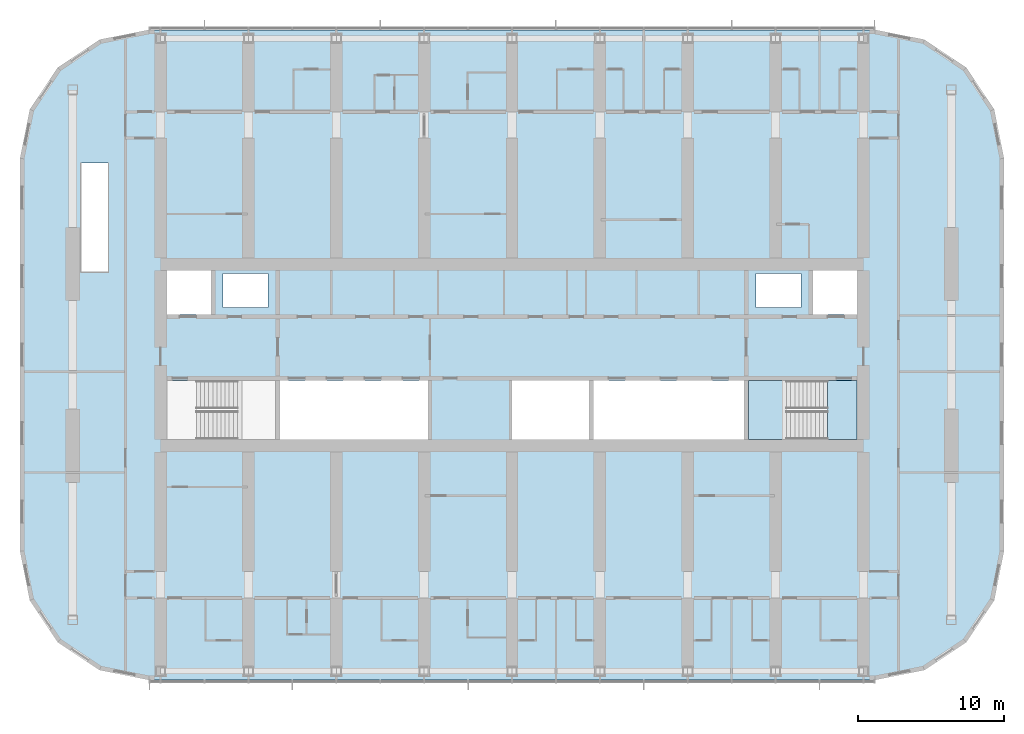
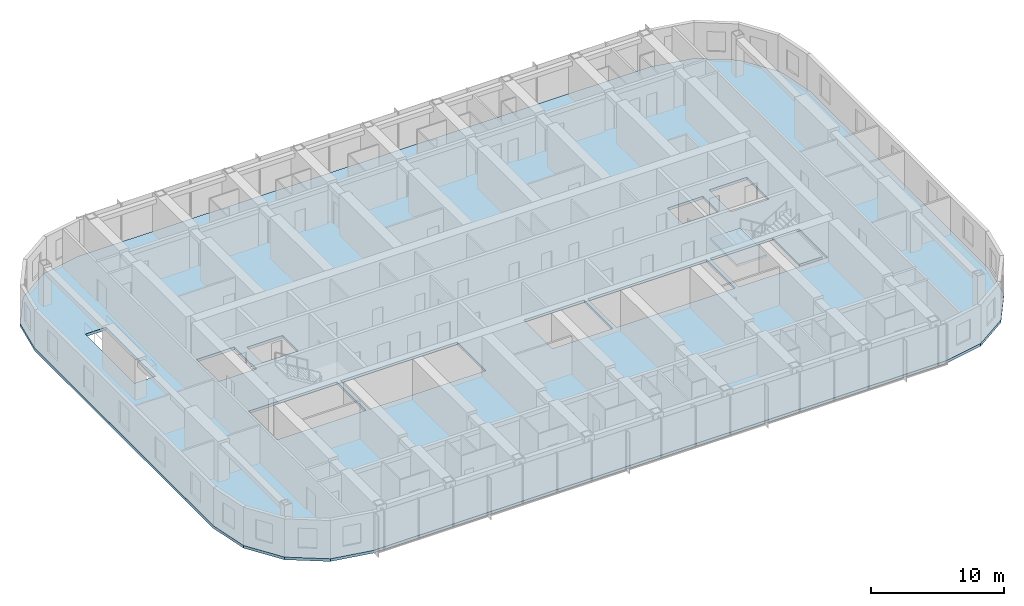
# One storey, part 8 of 22: 3 slabs, 1 element without a shape of its own.
"""IFC4 building model written with IfcOpenShell, lengths in metres."""

from ifc_helpers import new_model, si_unit, direction, frame, origin, place, context, subcontext, project, spatial, polyline, outline, extrude, material, layer, layer_set, type_object, element, aggregate, save


model = new_model("IFC4")

# Units and contexts
model_context = context("Model", 3, precision=1e-05, world=origin(), true_north=direction((0.0, 1.0)))
body_context = subcontext(model_context, "Body", "Model", "MODEL_VIEW")
ifc_project = project(units=[si_unit("LENGTHUNIT", "METRE"), si_unit("AREAUNIT", "SQUARE_METRE"), si_unit("VOLUMEUNIT", "CUBIC_METRE"), si_unit("PLANEANGLEUNIT", "RADIAN"), si_unit("MASSUNIT", "GRAM", prefix="KILO")], contexts=[model_context])

# Site, building, storey
site_placement = place(None, origin())
site = spatial("IfcSite", under=ifc_project, at=site_placement, CompositionType="ELEMENT")
building_placement = place(site_placement, origin())
building = spatial("IfcBuilding", under=site, at=building_placement, Name="Orbita Commons", CompositionType="ELEMENT")
storey_placement = place(building_placement, frame((0.0, 0.0, 167.35009765625)))
storey = spatial("IfcBuildingStorey", under=building, at=storey_placement, Name="L41", CompositionType="ELEMENT", Elevation=167.35009765625)

# Slab
ifc_material_1 = material(Name="Concrete C40/50", Category="concrete")
ifc_layer_1 = layer(ifc_material_1, 0.25)
ifc_layer_set_1 = layer_set([ifc_layer_1], Name="Concrete C40/50")
slab_type_1 = type_object("IfcSlabType", Name="Floor slab 250", PredefinedType="FLOOR", material=ifc_layer_set_1)
slab_1_placement = place(storey_placement, frame((0.0, 0.0, -0.25)))
element("IfcSlab", 1, at=slab_1_placement, inside=storey, type_object=slab_type_1, Name="Floor slab L41", PredefinedType="FLOOR", context=body_context, shape_type="SweptSolid", body=[
    extrude(outline(polyline([(66.800048828125, 9.800048828125), (70.167724609375, 10.469970703125), (73.0224609375, 12.37744140625), (74.93017578125, 15.232421875), (75.60009765625, 18.60009765625), (75.60009765625, 45.39990234375), (74.93017578125, 48.767578125), (73.0224609375, 51.62255859375), (70.167724609375, 53.530029296875), (66.800048828125, 54.199951171875), (17.199951171875, 54.199951171875), (13.832275390625, 53.530029296875), (10.9775390625, 51.62255859375), (9.06982421875, 48.767578125), (8.39990234375, 45.39990234375), (8.39990234375, 18.60009765625), (9.06982421875, 15.232421875), (10.9775390625, 12.37744140625), (13.832275390625, 10.469970703125), (17.199951171875, 9.800048828125), (66.800048828125, 9.800048828125)]), holes=[polyline([(18.14990234375, 25.949951171875), (25.85009765625, 25.949951171875), (25.85009765625, 30.25), (18.14990234375, 30.25), (18.14990234375, 25.949951171875)]), polyline([(58.14990234375, 25.949951171875), (65.85009765625, 25.949951171875), (65.85009765625, 30.25), (58.14990234375, 30.25), (58.14990234375, 25.949951171875)]), polyline([(18.14990234375, 34.75), (21.449951171875, 34.75), (21.449951171875, 38.050048828125), (18.14990234375, 38.050048828125), (18.14990234375, 34.75)]), polyline([(62.550048828125, 34.75), (65.85009765625, 34.75), (65.85009765625, 38.050048828125), (62.550048828125, 38.050048828125), (62.550048828125, 34.75)]), polyline([(22.25, 35.25), (25.35009765625, 35.25), (25.35009765625, 37.550048828125), (22.25, 37.550048828125), (22.25, 35.25)]), polyline([(58.64990234375, 35.25), (61.75, 35.25), (61.75, 37.550048828125), (58.64990234375, 37.550048828125), (58.64990234375, 35.25)]), polyline([(26.14990234375, 25.949951171875), (36.25, 25.949951171875), (36.25, 30.25), (26.14990234375, 30.25), (26.14990234375, 25.949951171875)]), polyline([(42.0, 25.949951171875), (47.25, 25.949951171875), (47.25, 30.25), (42.0, 30.25), (42.0, 25.949951171875)]), polyline([(47.550048828125, 25.949951171875), (57.85009765625, 25.949951171875), (57.85009765625, 30.25), (47.550048828125, 30.25), (47.550048828125, 25.949951171875)]), polyline([(12.60009765625, 37.699951171875), (14.39990234375, 37.699951171875), (14.39990234375, 45.10009765625), (12.60009765625, 45.10009765625), (12.60009765625, 37.699951171875)])]), origin(), (0.0, 0.0, 1.0), 0.25),
])

# Stair, slabs
ifc_material_2 = material(Name="Precast concrete C40/50", Category="concrete")
stair_type = type_object("IfcStairType", Name="Exit stair S2 2 flights 11 risers 170", PredefinedType="HALF_TURN_STAIR", material=ifc_material_2)
stair_placement = place(storey_placement, origin())
stair = element("IfcStair", 2, at=stair_placement, inside=storey, type_object=stair_type, Name="Exit stair S2 L41", PredefinedType="HALF_TURN_STAIR")
ifc_material_3 = material(Name="Concrete C40/50", Category="concrete")
ifc_layer_2 = layer(ifc_material_3, 0.199951171875)
ifc_layer_set_2 = layer_set([ifc_layer_2], Name="Concrete C40/50")
slab_type_2 = type_object("IfcSlabType", Name="Stair landing 200", PredefinedType="LANDING", material=ifc_layer_set_2)
slab_2_placement = place(storey_placement, frame((0.0, 0.0, -0.2001953125)))
slab_2 = element("IfcSlab", 3, at=slab_2_placement, type_object=slab_type_2, Name="S2 landing 1", PredefinedType="LANDING", context=body_context, shape_type="SweptSolid", body=[
    extrude(outline(polyline([(63.550048828125, 26.22509765625), (65.574951171875, 26.22509765625), (65.574951171875, 30.25), (63.550048828125, 30.25), (63.550048828125, 26.22509765625)])), origin(), (0.0, 0.0, 1.0), 0.2001953125),
])
slab_3_placement = place(storey_placement, frame((0.0, 0.0, 1.6748046875)))
slab_3 = element("IfcSlab", 4, at=slab_3_placement, type_object=slab_type_2, Name="S2 landing 2", PredefinedType="LANDING", context=body_context, shape_type="SweptSolid", body=[
    extrude(outline(polyline([(58.135009765625, 26.2099609375), (60.75, 26.2099609375), (60.75, 30.264892578125), (58.135009765625, 30.264892578125), (58.135009765625, 26.2099609375)])), origin(), (0.0, 0.0, 1.0), 0.2001953125),
])
aggregate(stair, [slab_2, slab_3])

save(model, "model.ifc")
